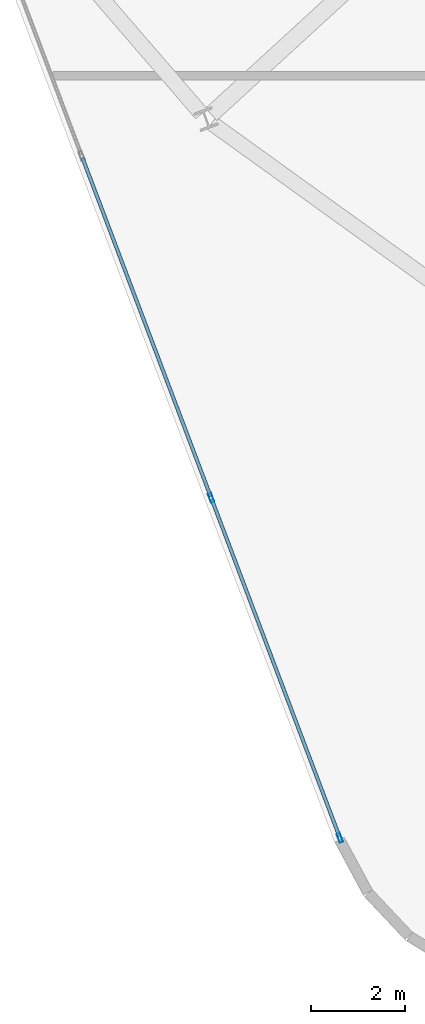
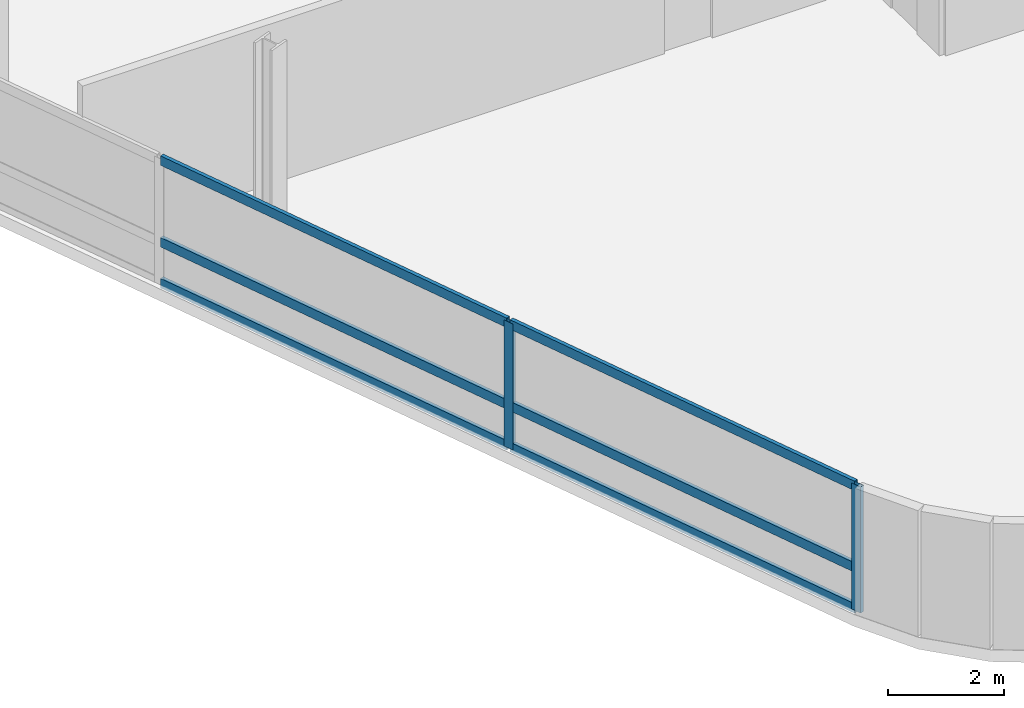
# One storey, part 3 of 19: 8 members, 1 element without a shape of its own.
"""IFC4 building model written with IfcOpenShell, lengths in metres."""

import ifcopenshell
import ifcopenshell.guid

model = None  # the IFC model being written
_history = None  # IfcOwnerHistory: only IFC2X3 demands one
_inside = {}  # id of a spatial element -> (the spatial element, [elements in it])
_under = {}  # id of a project, library or spatial element -> (it, [spatial elements below it])
_declared = {}  # id of a project -> (the project, [libraries it declares])
_typed = {}  # id of a type object -> (the type object, [elements of that type])
_made_of = {}  # id of a material, layer set ... -> (it, [elements and type objects made of it])


def new_model(schema):
    """Start an empty IFC model of exactly this schema.

    Asked for "IFC4X3", IfcOpenShell would pick the latest addendum, in which some entities
    have other attributes; the version numbers below select the first issue.
    IFC2X3 requires an IfcOwnerHistory on every rooted entity: one is made here for all.
    """
    global model, _history
    if schema == "IFC4X3":
        model = ifcopenshell.file(schema_version=(4, 3, 0, 0))
    else:
        model = ifcopenshell.file(schema=schema)
    _inside.clear()
    _under.clear()
    _declared.clear()
    _typed.clear()
    _made_of.clear()
    _history = None
    if model.schema == "IFC2X3":
        org = make("IfcOrganization", Name="unknown")
        user = make(
            "IfcPersonAndOrganization",
            ThePerson=make("IfcPerson", FamilyName="unknown"),
            TheOrganization=org,
        )
        app = make(
            "IfcApplication",
            ApplicationDeveloper=org,
            Version="unknown",
            ApplicationFullName="unknown",
            ApplicationIdentifier="unknown",
        )
        _history = make(
            "IfcOwnerHistory",
            OwningUser=user,
            OwningApplication=app,
            ChangeAction="ADDED",
            CreationDate=0,
        )
    return model


def make(cls, **values):
    """One entity of the class cls with the attributes given. An attribute that is None is left unset."""
    return model.create_entity(
        cls, **{name: value for name, value in values.items() if value is not None}
    )


def rooted(cls, **values):
    """An entity with a GlobalId (a new one), such as an element, a storey or a relation."""
    return make(cls, GlobalId=ifcopenshell.guid.new(), OwnerHistory=_history, **values)


def si_unit(unit_type, name, prefix=None):
    """IfcSIUnit, for example si_unit("LENGTHUNIT", "METRE", prefix="MILLI")."""
    return make("IfcSIUnit", UnitType=unit_type, Prefix=prefix, Name=name)


def assignment(units):
    """IfcUnitAssignment: the units of a project."""
    return None if units is None else make("IfcUnitAssignment", Units=units)


def point(xyz):
    """IfcCartesianPoint."""
    return None if xyz is None else make("IfcCartesianPoint", Coordinates=xyz)


def direction(xyz):
    """IfcDirection."""
    return None if xyz is None else make("IfcDirection", DirectionRatios=xyz)


def frame(location, z_axis=None, x_axis=None):
    """IfcAxis2Placement3D, a coordinate frame: its origin and axes. An axis left out is left unset."""
    return make(
        "IfcAxis2Placement3D",
        Location=point(location),
        Axis=direction(z_axis),
        RefDirection=direction(x_axis),
    )


def frame_2d(location, x_axis=None):
    """IfcAxis2Placement2D, a coordinate frame in the plane: its origin and x axis."""
    return make(
        "IfcAxis2Placement2D", Location=point(location), RefDirection=direction(x_axis)
    )


def origin():
    """The frame at (0, 0, 0) with its axes left unset."""
    return frame((0.0, 0.0, 0.0))


def origin_2d():
    """The frame at (0, 0) in the plane with its x axis left unset."""
    return frame_2d((0.0, 0.0))


def place(relative_to, where):
    """IfcLocalPlacement: puts the frame where relative to a parent placement (None: the world)."""
    return make(
        "IfcLocalPlacement", PlacementRelTo=relative_to, RelativePlacement=where
    )


def context(
    kind, dimensions, precision=None, world=None, true_north=None, identifier=None
):
    """IfcGeometricRepresentationContext, for example the 3D "Model" context."""
    return make(
        "IfcGeometricRepresentationContext",
        ContextIdentifier=identifier,
        ContextType=kind,
        CoordinateSpaceDimension=dimensions,
        Precision=precision,
        WorldCoordinateSystem=world,
        TrueNorth=true_north,
    )


def subcontext(parent, identifier, kind, view, scale=None):
    """IfcGeometricRepresentationSubContext, for example "Body" below "Model"."""
    return make(
        "IfcGeometricRepresentationSubContext",
        ContextIdentifier=identifier,
        ContextType=kind,
        ParentContext=parent,
        TargetScale=scale,
        TargetView=view,
    )


def project(units=None, contexts=None):
    """IfcProject with its units and contexts."""
    return rooted(
        "IfcProject",
        Name="project",
        RepresentationContexts=contexts,
        UnitsInContext=assignment(units),
    )


def spatial(cls, under=None, at=None, **own):
    """A site, building, storey or space (cls), placed at a placement, below another one or the project."""
    s = rooted(cls, ObjectPlacement=at, **own)
    if under is not None:
        _under.setdefault(under.id(), (under, []))[1].append(s)
    return s


def profile(cls, at=None, kind="AREA", **sizes):
    """A parametric profile (cls). Its sizes go by their IFC names, for example OverallWidth=200.0."""
    return make(cls, ProfileType=kind, Position=at, **sizes)


def hollow_rectangle(**sizes):
    """IfcRectangleHollowProfileDef."""
    return profile("IfcRectangleHollowProfileDef", **sizes)


def extrude(swept, where, along, depth):
    """IfcExtrudedAreaSolid: the profile swept, set in the frame where, extruded along a direction by depth."""
    return make(
        "IfcExtrudedAreaSolid",
        SweptArea=swept,
        Position=where,
        ExtrudedDirection=direction(along),
        Depth=depth,
    )


def shape(context_of_items, identifier, shape_type, items):
    """IfcShapeRepresentation: the items that make up one representation, for example the "Body"."""
    return make(
        "IfcShapeRepresentation",
        ContextOfItems=context_of_items,
        RepresentationIdentifier=identifier,
        RepresentationType=shape_type,
        Items=items,
    )


def material(Name=None, Category=None):
    """IfcMaterial."""
    return make("IfcMaterial", Name=Name, Category=Category)


def layer(
    of_material, thickness, ventilated=None, Name=None, Category=None, Priority=None
):
    """IfcMaterialLayer: one layer of a wall or slab, of a material (None: an air gap)."""
    return make(
        "IfcMaterialLayer",
        Material=of_material,
        LayerThickness=thickness,
        IsVentilated=ventilated,
        Name=Name,
        Category=Category,
        Priority=Priority,
    )


def layer_set(layers, Name=None):
    """IfcMaterialLayerSet."""
    return make("IfcMaterialLayerSet", MaterialLayers=layers, LayerSetName=Name)


def material_profile(
    of_material, cross_section, Name=None, Category=None, Priority=None
):
    """IfcMaterialProfile: a cross section and its material."""
    return make(
        "IfcMaterialProfile",
        Name=Name,
        Material=of_material,
        Profile=cross_section,
        Priority=Priority,
        Category=Category,
    )


def profile_set(profiles, Name=None, composite=None):
    """IfcMaterialProfileSet."""
    return make(
        "IfcMaterialProfileSet",
        Name=Name,
        MaterialProfiles=profiles,
        CompositeProfile=composite,
    )


def made_of(thing, what):
    """Note that an element or type object is made of a material, layer set ...; save() writes the relation."""
    if what is not None:
        _made_of.setdefault(what.id(), (what, []))[1].append(thing)
    return thing


def type_object(cls, material=None, **own):
    """A type object (cls), such as IfcWallType, which elements share."""
    return made_of(rooted(cls, **own), material)


def element(
    cls,
    number,
    at=None,
    inside=None,
    cuts=None,
    type_object=None,
    material=None,
    context=None,
    identifier="Body",
    shape_type=None,
    held_by="IfcProductDefinitionShape",
    body=None,
    shapes=None,
    **own,
):
    """One element of the class cls, such as IfcWall. Its Tag is "e" and its number.

    at: its placement. inside: the storey or other place that contains it. cuts: it is an
    opening in that element (IfcRelVoidsElement). A single representation is given by context,
    identifier, shape_type and body (its items); several are given by shapes. held_by: the class
    of the entity that holds the representations. save() writes the other relations.
    """
    e = rooted(cls, Tag="e%d" % number, ObjectPlacement=at, **own)
    if body is not None:
        shapes = [shape(context, identifier, shape_type, body)]
    if shapes is not None:
        e.Representation = make(held_by, Representations=shapes)
    if inside is not None:
        _inside.setdefault(inside.id(), (inside, []))[1].append(e)
    if cuts is not None:
        rooted(
            "IfcRelVoidsElement", RelatingBuildingElement=cuts, RelatedOpeningElement=e
        )
    if type_object is not None:
        _typed.setdefault(type_object.id(), (type_object, []))[1].append(e)
    return made_of(e, material)


def aggregate(whole, parts):
    """IfcRelAggregates: a whole, such as a stair, and the parts it consists of."""
    return rooted("IfcRelAggregates", RelatingObject=whole, RelatedObjects=parts)


def save(model, path):
    """Write the relations noted so far, then the file.

    IfcRelAggregates (storeys below a building ...), IfcRelContainedInSpatialStructure (elements
    in a storey), IfcRelDefinesByType, IfcRelAssociatesMaterial and IfcRelDeclares: one each for
    every whole, place, type object, material and project.
    """
    for whole, parts in _under.values():
        aggregate(whole, parts)
    for where, things in _inside.values():
        rooted(
            "IfcRelContainedInSpatialStructure",
            RelatedElements=things,
            RelatingStructure=where,
        )
    for kind, things in _typed.values():
        rooted("IfcRelDefinesByType", RelatedObjects=things, RelatingType=kind)
    for what, things in _made_of.values():
        rooted("IfcRelAssociatesMaterial", RelatedObjects=things, RelatingMaterial=what)
    for by, libraries in _declared.values():
        rooted("IfcRelDeclares", RelatingContext=by, RelatedDefinitions=libraries)
    model.write(path)


model = new_model("IFC4")

# Units and contexts
model_context = context("Model", 3, precision=1e-05, world=origin(), true_north=direction((0.0, 1.0)))
body_context = subcontext(model_context, "Body", "Model", "MODEL_VIEW")
ifc_project = project(units=[si_unit("LENGTHUNIT", "METRE"), si_unit("AREAUNIT", "SQUARE_METRE"), si_unit("VOLUMEUNIT", "CUBIC_METRE"), si_unit("PLANEANGLEUNIT", "RADIAN"), si_unit("MASSUNIT", "GRAM", prefix="KILO")], contexts=[model_context])

# Site, building, storey
site_placement = place(None, origin())
site = spatial("IfcSite", under=ifc_project, at=site_placement, CompositionType="ELEMENT")
building_placement = place(site_placement, origin())
building = spatial("IfcBuilding", under=site, at=building_placement, Name="Varnelok Gate Tower", CompositionType="ELEMENT")
storey_placement = place(building_placement, frame((0.0, 0.0, 249.699951171875)))
storey = spatial("IfcBuildingStorey", under=building, at=storey_placement, Name="L64", CompositionType="ELEMENT", Elevation=249.699951171875)

# Curtain wall, members
ifc_material = material(Name="Anodized Aluminum Alloy 6063-T6", Category="aluminium")
ifc_layer = layer(ifc_material, 0.179931640625)
ifc_layer_set = layer_set([ifc_layer], Name="Anodized Aluminum Alloy 6063-T6")
curtain_wall_type = type_object("IfcCurtainWallType", Name="CW4-RESIDENCE-VISION", PredefinedType="USERDEFINED", material=ifc_layer_set)
curtain_wall_placement = place(storey_placement, origin())
curtain_wall = element("IfcCurtainWall", 1, at=curtain_wall_placement, inside=storey, type_object=curtain_wall_type, Name="L64 West End Vision Curtain Wall", ObjectType="UNITISED CURTAIN WALL", PredefinedType="USERDEFINED")
ifc_material_profile_1 = material_profile(ifc_material, hollow_rectangle(XDim=0.074951171875, YDim=0.199951171875, WallThickness=0.00390625, at=origin_2d()), Name="ALU200X75X4")
ifc_profile_set_1 = profile_set([ifc_material_profile_1], Name="Anodized Aluminum Alloy 6063-T6")
member_type_1 = type_object("IfcMemberType", Name="CW-MULL-200", PredefinedType="MULLION", material=ifc_profile_set_1)
member_1_placement = place(storey_placement, frame((13.88525390625, -0.92431640625, 0.0), z_axis=(0.0, 0.0, 1.0), x_axis=(-0.935221557832, -0.354063042079, 0.0)))
member_1 = element("IfcMember", 2, at=member_1_placement, type_object=member_type_1, Name="CW4 mullion 1", PredefinedType="MULLION", context=body_context, shape_type="SweptSolid", body=[
    extrude(hollow_rectangle(XDim=0.074951171875, YDim=0.199951171875, WallThickness=0.00390625, at=origin_2d()), origin(), (0.0, 0.0, 1.0), 2.66015625),
])
member_2_placement = place(storey_placement, frame((11.13671875, 6.33544921875, 0.0), z_axis=(0.0, 0.0, 1.0), x_axis=(-0.935221557832, -0.354063042079, 0.0)))
member_2 = element("IfcMember", 3, at=member_2_placement, type_object=member_type_1, Name="CW4 mullion 2", PredefinedType="MULLION", context=body_context, shape_type="SweptSolid", body=[
    extrude(hollow_rectangle(XDim=0.074951171875, YDim=0.199951171875, WallThickness=0.00390625, at=origin_2d()), origin(), (0.0, 0.0, 1.0), 2.66015625),
])
ifc_material_profile_2 = material_profile(ifc_material, hollow_rectangle(XDim=0.074951171875, YDim=0.199951171875, WallThickness=0.00390625, at=origin_2d()), Name="ALU200X75X4")
ifc_profile_set_2 = profile_set([ifc_material_profile_2], Name="Anodized Aluminum Alloy 6063-T6")
member_type_2 = type_object("IfcMemberType", Name="CW-TRAN-200", PredefinedType="USERDEFINED", material=ifc_profile_set_2)
member_3_placement = place(storey_placement, frame((13.871826171875, -0.88916015625, 0.03759765625), z_axis=(-0.354045264669, 0.935228287941, 0.0), x_axis=(-0.935228287941, -0.354045264669, 0.0)))
member_3 = element("IfcMember", 4, at=member_3_placement, type_object=member_type_2, Name="CW4 transom 1.1", ObjectType="TRANSOM", PredefinedType="USERDEFINED", context=body_context, shape_type="SweptSolid", body=[
    extrude(hollow_rectangle(XDim=0.074951171875, YDim=0.199951171875, WallThickness=0.00390625, at=origin_2d()), origin(), (0.0, 0.0, 1.0), 7.687255859375),
])
member_4_placement = place(storey_placement, frame((13.871826171875, -0.88916015625, 0.900146484375), z_axis=(-0.354045264669, 0.935228287941, 0.0), x_axis=(-0.935228287941, -0.354045264669, 0.0)))
member_4 = element("IfcMember", 5, at=member_4_placement, type_object=member_type_2, Name="CW4 transom 1.2", ObjectType="TRANSOM", PredefinedType="USERDEFINED", context=body_context, shape_type="SweptSolid", body=[
    extrude(hollow_rectangle(XDim=0.074951171875, YDim=0.199951171875, WallThickness=0.00390625, at=origin_2d()), origin(), (0.0, 0.0, 1.0), 7.687255859375),
])
member_5_placement = place(storey_placement, frame((13.871826171875, -0.88916015625, 2.62255859375), z_axis=(-0.354045264669, 0.935228287941, 0.0), x_axis=(-0.935228287941, -0.354045264669, 0.0)))
member_5 = element("IfcMember", 6, at=member_5_placement, type_object=member_type_2, Name="CW4 transom 1.3", ObjectType="TRANSOM", PredefinedType="USERDEFINED", context=body_context, shape_type="SweptSolid", body=[
    extrude(hollow_rectangle(XDim=0.074951171875, YDim=0.199951171875, WallThickness=0.00390625, at=origin_2d()), origin(), (0.0, 0.0, 1.0), 7.687255859375),
])
member_6_placement = place(storey_placement, frame((11.12353515625, 6.370361328125, 0.03759765625), z_axis=(-0.354058714128, 0.935223196328, 0.0), x_axis=(-0.935223196328, -0.354058714128, 0.0)))
member_6 = element("IfcMember", 7, at=member_6_placement, type_object=member_type_2, Name="CW4 transom 2.1", ObjectType="TRANSOM", PredefinedType="USERDEFINED", context=body_context, shape_type="SweptSolid", body=[
    extrude(hollow_rectangle(XDim=0.074951171875, YDim=0.199951171875, WallThickness=0.00390625, at=origin_2d()), origin(), (0.0, 0.0, 1.0), 7.72509765625),
])
member_7_placement = place(storey_placement, frame((11.12353515625, 6.370361328125, 0.900146484375), z_axis=(-0.354058714128, 0.935223196328, 0.0), x_axis=(-0.935223196328, -0.354058714128, 0.0)))
member_7 = element("IfcMember", 8, at=member_7_placement, type_object=member_type_2, Name="CW4 transom 2.2", ObjectType="TRANSOM", PredefinedType="USERDEFINED", context=body_context, shape_type="SweptSolid", body=[
    extrude(hollow_rectangle(XDim=0.074951171875, YDim=0.199951171875, WallThickness=0.00390625, at=origin_2d()), origin(), (0.0, 0.0, 1.0), 7.72509765625),
])
member_8_placement = place(storey_placement, frame((11.12353515625, 6.370361328125, 2.62255859375), z_axis=(-0.354058714128, 0.935223196328, 0.0), x_axis=(-0.935223196328, -0.354058714128, 0.0)))
member_8 = element("IfcMember", 9, at=member_8_placement, type_object=member_type_2, Name="CW4 transom 2.3", ObjectType="TRANSOM", PredefinedType="USERDEFINED", context=body_context, shape_type="SweptSolid", body=[
    extrude(hollow_rectangle(XDim=0.074951171875, YDim=0.199951171875, WallThickness=0.00390625, at=origin_2d()), origin(), (0.0, 0.0, 1.0), 7.72509765625),
])
aggregate(curtain_wall, [member_1, member_2, member_3, member_4, member_5, member_6, member_7, member_8])

save(model, "model.ifc")
